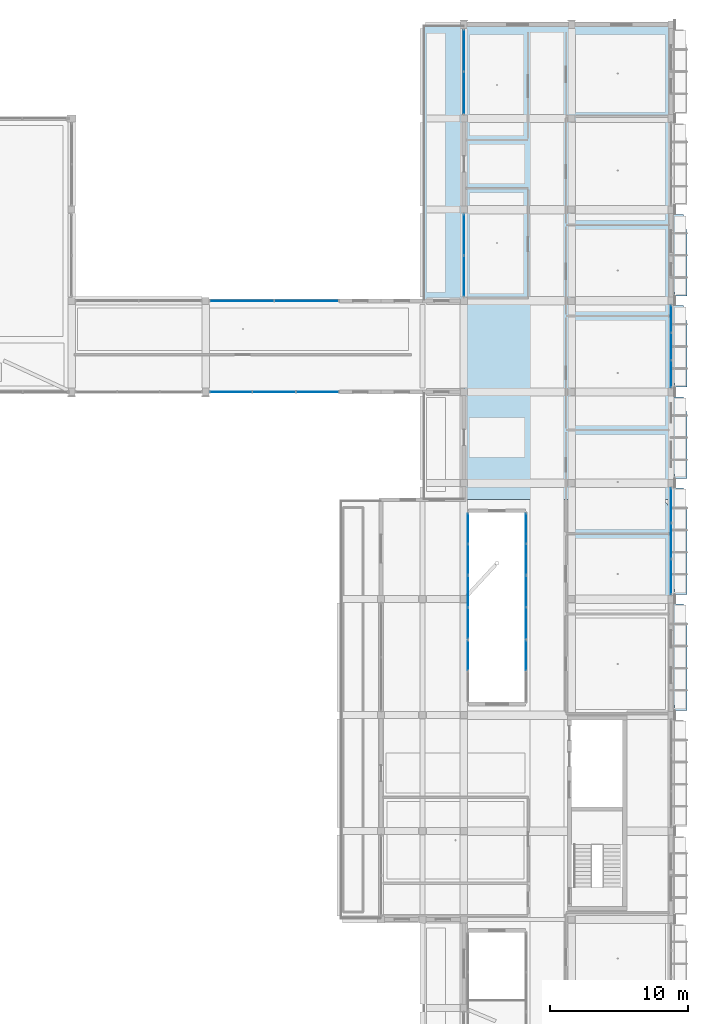
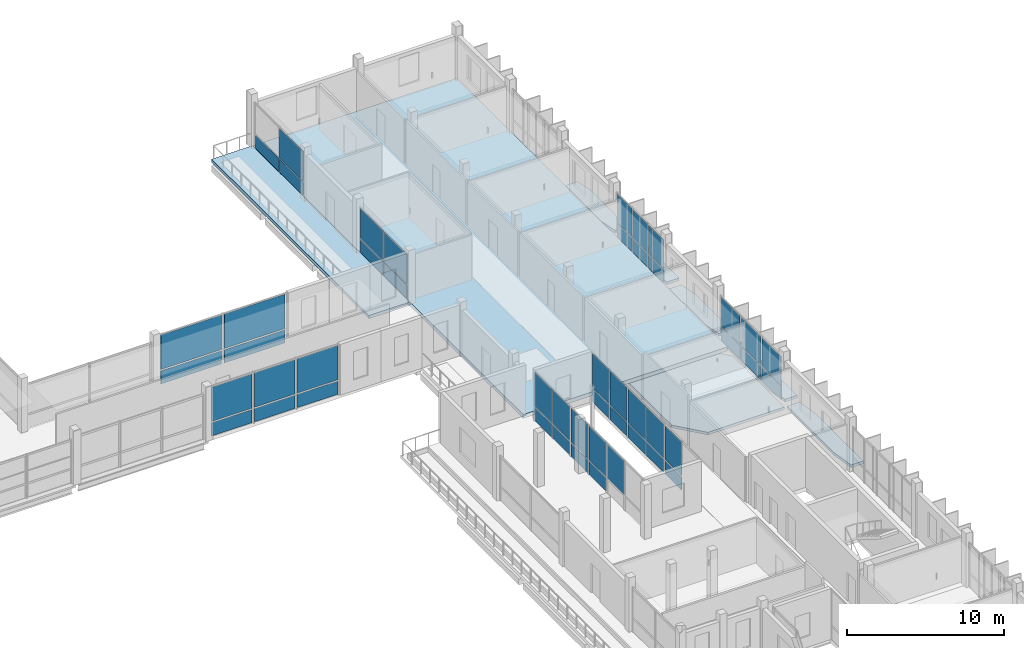
# One storey, part 36 of 85: 48 plates, 8 slabs, 12 elements without a shape of their own.
"""IFC4 building model written with IfcOpenShell, lengths in metres."""

from ifc_helpers import new_model, si_unit, derived_unit, direction, frame, origin, origin_2d, place, context, subcontext, project, spatial, polyline, rectangle, outline, extrude, material, layer, layer_set, type_object, element, aggregate, save


model = new_model("IFC4")

# Units and contexts
model_context = context("Model", 3, precision=1e-05, world=origin(), true_north=direction((0.0, 1.0)))
body_context = subcontext(model_context, "Body", "Model", "MODEL_VIEW")
ifc_project = project(units=[si_unit("LENGTHUNIT", "METRE"), si_unit("AREAUNIT", "SQUARE_METRE"), si_unit("VOLUMEUNIT", "CUBIC_METRE"), si_unit("PLANEANGLEUNIT", "RADIAN"), si_unit("MASSUNIT", "GRAM", prefix="KILO"), derived_unit("THERMALTRANSMITTANCEUNIT", [(si_unit("POWERUNIT", "WATT"), 1), (si_unit("LENGTHUNIT", "METRE"), -2), (si_unit("THERMODYNAMICTEMPERATUREUNIT", "KELVIN"), -1)])], contexts=[model_context])

# Site, building, storey
site_placement = place(None, origin())
site = spatial("IfcSite", under=ifc_project, at=site_placement, CompositionType="ELEMENT")
building_placement = place(site_placement, origin())
building = spatial("IfcBuilding", under=site, at=building_placement, Name="Braskholm Square Health Centre", CompositionType="ELEMENT")
storey_placement = place(building_placement, frame((0.0, 0.0, 9.300048828125)))
storey = spatial("IfcBuildingStorey", under=building, at=storey_placement, Name="L03", CompositionType="ELEMENT", Elevation=9.300048828125)

# Curtain wall, plates
ifc_material_1 = material(Name="Low-E triple insulating glass (VLT 0.64)", Category="glass")
curtain_wall_type_1 = type_object("IfcCurtainWallType", Name="UnitisedCurtainWall6200x3650", PredefinedType="NOTDEFINED", material=ifc_material_1)
curtain_wall_1_placement = place(storey_placement, origin())
curtain_wall_1 = element("IfcCurtainWall", 1, at=curtain_wall_1_placement, inside=storey, type_object=curtain_wall_type_1, Name="East Outer unitised curtain wall CW-L03-0066", PredefinedType="NOTDEFINED")
ifc_material_2 = material(Name="Architectural bronze anodised aluminium", Category="aluminium")
plate_type_1 = type_object("IfcPlateType", Name="CurtainPanelSpandrel1850x1020", PredefinedType="CURTAIN_PANEL", material=ifc_material_2)
plate_1_placement = place(storey_placement, frame((163.800048828125, 88.493408203125, 0.050048828125), z_axis=(0.0, 0.0, 1.0), x_axis=(0.0, 1.0, 0.0)))
plate_1 = element("IfcPlate", 2, at=plate_1_placement, type_object=plate_type_1, Name="CW-L03-0066 spandrel panel 1", PredefinedType="CURTAIN_PANEL", context=body_context, shape_type="SweptSolid", body=[
    extrude(rectangle(XDim=1.88623046875, YDim=0.035888671875, at=origin_2d()), origin(), (0.0, 0.0, 1.0), 1.02001953125),
])
plate_2_placement = place(storey_placement, frame((163.800048828125, 90.5, 0.050048828125), z_axis=(0.0, 0.0, 1.0), x_axis=(0.0, 1.0, 0.0)))
plate_2 = element("IfcPlate", 3, at=plate_2_placement, type_object=plate_type_1, Name="CW-L03-0066 spandrel panel 2", PredefinedType="CURTAIN_PANEL", context=body_context, shape_type="SweptSolid", body=[
    extrude(rectangle(XDim=1.88623046875, YDim=0.035888671875, at=origin_2d()), origin(), (0.0, 0.0, 1.0), 1.02001953125),
])
plate_3_placement = place(storey_placement, frame((163.800048828125, 92.506591796875, 0.050048828125), z_axis=(0.0, 0.0, 1.0), x_axis=(0.0, 1.0, 0.0)))
plate_3 = element("IfcPlate", 4, at=plate_3_placement, type_object=plate_type_1, Name="CW-L03-0066 spandrel panel 3", PredefinedType="CURTAIN_PANEL", context=body_context, shape_type="SweptSolid", body=[
    extrude(rectangle(XDim=1.88623046875, YDim=0.035888671875, at=origin_2d()), origin(), (0.0, 0.0, 1.0), 1.02001953125),
])

# Curtain wall, plate
curtain_wall_type_2 = type_object("IfcCurtainWallType", Name="UnitisedCurtainWall4800x3800", PredefinedType="NOTDEFINED", material=ifc_material_1)
curtain_wall_2_placement = place(storey_placement, origin())
curtain_wall_2 = element("IfcCurtainWall", 5, at=curtain_wall_2_placement, inside=storey, type_object=curtain_wall_type_2, Name="EC2 Court E unitised curtain wall CW-L03-0364", PredefinedType="NOTDEFINED")
plate_type_2 = type_object("IfcPlateType", Name="CurtainPanelSpandrel2150x1020", PredefinedType="CURTAIN_PANEL", material=ifc_material_2)
plate_4_placement = place(storey_placement, frame((153.300048828125, 68.117919921875, 0.050048828125), z_axis=(0.0, 0.0, 1.0), x_axis=(0.0, -1.0, 0.0)))
plate_4 = element("IfcPlate", 6, at=plate_4_placement, type_object=plate_type_2, Name="CW-L03-0364 spandrel panel 1", PredefinedType="CURTAIN_PANEL", context=body_context, shape_type="SweptSolid", body=[
    extrude(rectangle(XDim=2.125244140625, YDim=0.035888671875, at=origin_2d()), origin(), (0.0, 0.0, 1.0), 1.02001953125),
])

# Curtain wall, plates
curtain_wall_3_placement = place(storey_placement, origin())
curtain_wall_3 = element("IfcCurtainWall", 7, at=curtain_wall_3_placement, inside=storey, type_object=curtain_wall_type_2, Name="EC2 Court W unitised curtain wall CW-L03-0365", PredefinedType="NOTDEFINED")
plate_5_placement = place(storey_placement, frame((149.10009765625, 70.449951171875, 0.050048828125), z_axis=(0.0, 0.0, 1.0), x_axis=(0.0, 1.0, 0.0)))
plate_5 = element("IfcPlate", 8, at=plate_5_placement, type_object=plate_type_2, Name="CW-L03-0365 spandrel panel 1", PredefinedType="CURTAIN_PANEL", context=body_context, shape_type="SweptSolid", body=[
    extrude(rectangle(XDim=2.188232421875, YDim=0.035888671875, at=origin_2d()), origin(), (0.0, 0.0, 1.0), 1.02001953125),
])
plate_6_placement = place(storey_placement, frame((149.10009765625, 72.75, 0.050048828125), z_axis=(0.0, 0.0, 1.0), x_axis=(0.0, 1.0, 0.0)))
plate_6 = element("IfcPlate", 9, at=plate_6_placement, type_object=plate_type_2, Name="CW-L03-0365 spandrel panel 2", PredefinedType="CURTAIN_PANEL", context=body_context, shape_type="SweptSolid", body=[
    extrude(rectangle(XDim=2.188232421875, YDim=0.035888671875, at=origin_2d()), origin(), (0.0, 0.0, 1.0), 1.02001953125),
])

curtain_wall_4_placement = place(storey_placement, origin())
curtain_wall_4 = element("IfcCurtainWall", 10, at=curtain_wall_4_placement, inside=storey, type_object=curtain_wall_type_2, Name="EC2 Court E unitised curtain wall CW-L03-0366", PredefinedType="NOTDEFINED")
plate_7_placement = place(storey_placement, frame((153.300048828125, 72.75, 0.050048828125), z_axis=(0.0, 0.0, 1.0), x_axis=(0.0, -1.0, 0.0)))
plate_7 = element("IfcPlate", 11, at=plate_7_placement, type_object=plate_type_2, Name="CW-L03-0366 spandrel panel 1", PredefinedType="CURTAIN_PANEL", context=body_context, shape_type="SweptSolid", body=[
    extrude(rectangle(XDim=2.188232421875, YDim=0.035888671875, at=origin_2d()), origin(), (0.0, 0.0, 1.0), 1.02001953125),
])
plate_8_placement = place(storey_placement, frame((153.300048828125, 70.449951171875, 0.050048828125), z_axis=(0.0, 0.0, 1.0), x_axis=(0.0, -1.0, 0.0)))
plate_8 = element("IfcPlate", 12, at=plate_8_placement, type_object=plate_type_2, Name="CW-L03-0366 spandrel panel 2", PredefinedType="CURTAIN_PANEL", context=body_context, shape_type="SweptSolid", body=[
    extrude(rectangle(XDim=2.188232421875, YDim=0.035888671875, at=origin_2d()), origin(), (0.0, 0.0, 1.0), 1.02001953125),
])

curtain_wall_5_placement = place(storey_placement, origin())
curtain_wall_5 = element("IfcCurtainWall", 13, at=curtain_wall_5_placement, inside=storey, type_object=curtain_wall_type_2, Name="EC2 Court W unitised curtain wall CW-L03-0367", PredefinedType="NOTDEFINED")
plate_9_placement = place(storey_placement, frame((149.10009765625, 75.08203125, 0.050048828125), z_axis=(0.0, 0.0, 1.0), x_axis=(0.0, 1.0, 0.0)))
plate_9 = element("IfcPlate", 14, at=plate_9_placement, type_object=plate_type_2, Name="CW-L03-0367 spandrel panel 1", PredefinedType="CURTAIN_PANEL", context=body_context, shape_type="SweptSolid", body=[
    extrude(rectangle(XDim=2.125244140625, YDim=0.035888671875, at=origin_2d()), origin(), (0.0, 0.0, 1.0), 1.02001953125),
])
plate_10_placement = place(storey_placement, frame((149.10009765625, 77.31591796875, 0.050048828125), z_axis=(0.0, 0.0, 1.0), x_axis=(0.0, 1.0, 0.0)))
plate_10 = element("IfcPlate", 15, at=plate_10_placement, type_object=plate_type_2, Name="CW-L03-0367 spandrel panel 2", PredefinedType="CURTAIN_PANEL", context=body_context, shape_type="SweptSolid", body=[
    extrude(rectangle(XDim=2.125244140625, YDim=0.035888671875, at=origin_2d()), origin(), (0.0, 0.0, 1.0), 1.02001953125),
])

curtain_wall_6_placement = place(storey_placement, origin())
curtain_wall_6 = element("IfcCurtainWall", 16, at=curtain_wall_6_placement, inside=storey, type_object=curtain_wall_type_2, Name="EC2 Court E unitised curtain wall CW-L03-0368", PredefinedType="NOTDEFINED")
plate_11_placement = place(storey_placement, frame((153.300048828125, 77.31591796875, 0.050048828125), z_axis=(0.0, 0.0, 1.0), x_axis=(0.0, -1.0, 0.0)))
plate_11 = element("IfcPlate", 17, at=plate_11_placement, type_object=plate_type_2, Name="CW-L03-0368 spandrel panel 1", PredefinedType="CURTAIN_PANEL", context=body_context, shape_type="SweptSolid", body=[
    extrude(rectangle(XDim=2.125244140625, YDim=0.035888671875, at=origin_2d()), origin(), (0.0, 0.0, 1.0), 1.02001953125),
])
plate_12_placement = place(storey_placement, frame((153.300048828125, 75.08203125, 0.050048828125), z_axis=(0.0, 0.0, 1.0), x_axis=(0.0, -1.0, 0.0)))
plate_12 = element("IfcPlate", 18, at=plate_12_placement, type_object=plate_type_2, Name="CW-L03-0368 spandrel panel 2", PredefinedType="CURTAIN_PANEL", context=body_context, shape_type="SweptSolid", body=[
    extrude(rectangle(XDim=2.125244140625, YDim=0.035888671875, at=origin_2d()), origin(), (0.0, 0.0, 1.0), 1.02001953125),
])

curtain_wall_7_placement = place(storey_placement, origin())
curtain_wall_7 = element("IfcCurtainWall", 19, at=curtain_wall_7_placement, inside=storey, type_object=curtain_wall_type_1, Name="East Outer unitised curtain wall CW-L03-0065", PredefinedType="NOTDEFINED")
plate_type_3 = type_object("IfcPlateType", Name="CurtainPanelSpandrel2750x1020", PredefinedType="CURTAIN_PANEL", material=ifc_material_2)
plate_13_placement = place(storey_placement, frame((163.800048828125, 73.793212890625, 0.050048828125), z_axis=(0.0, 0.0, 1.0), x_axis=(0.0, 1.0, 0.0)))
plate_13 = element("IfcPlate", 20, at=plate_13_placement, type_object=plate_type_3, Name="CW-L03-0065 spandrel panel 1", PredefinedType="CURTAIN_PANEL", context=body_context, shape_type="SweptSolid", body=[
    extrude(rectangle(XDim=2.4501953125, YDim=0.035888671875, at=origin_2d()), origin(), (0.0, 0.0, 1.0), 1.02001953125),
])
plate_14_placement = place(storey_placement, frame((163.800048828125, 76.39990234375, 0.050048828125), z_axis=(0.0, 0.0, 1.0), x_axis=(0.0, 1.0, 0.0)))
plate_14 = element("IfcPlate", 21, at=plate_14_placement, type_object=plate_type_3, Name="CW-L03-0065 spandrel panel 2", PredefinedType="CURTAIN_PANEL", context=body_context, shape_type="SweptSolid", body=[
    extrude(rectangle(XDim=2.4501953125, YDim=0.035888671875, at=origin_2d()), origin(), (0.0, 0.0, 1.0), 1.02001953125),
])
plate_15_placement = place(storey_placement, frame((163.800048828125, 79.006591796875, 0.050048828125), z_axis=(0.0, 0.0, 1.0), x_axis=(0.0, 1.0, 0.0)))
plate_15 = element("IfcPlate", 22, at=plate_15_placement, type_object=plate_type_3, Name="CW-L03-0065 spandrel panel 3", PredefinedType="CURTAIN_PANEL", context=body_context, shape_type="SweptSolid", body=[
    extrude(rectangle(XDim=2.4501953125, YDim=0.035888671875, at=origin_2d()), origin(), (0.0, 0.0, 1.0), 1.02001953125),
])

curtain_wall_8_placement = place(storey_placement, origin())
curtain_wall_8 = element("IfcCurtainWall", 23, at=curtain_wall_8_placement, inside=storey, type_object=curtain_wall_type_1, Name="East Valley unitised curtain wall CW-L03-0127", PredefinedType="NOTDEFINED")
plate_16_placement = place(storey_placement, frame((148.800048828125, 98.601806640625, 0.050048828125), z_axis=(0.0, 0.0, 1.0), x_axis=(0.0, -1.0, 0.0)))
plate_16 = element("IfcPlate", 24, at=plate_16_placement, type_object=plate_type_3, Name="CW-L03-0127 spandrel panel 1", PredefinedType="CURTAIN_PANEL", context=body_context, shape_type="SweptSolid", body=[
    extrude(rectangle(XDim=2.857666015625, YDim=0.035888671875, at=origin_2d()), origin(), (0.0, 0.0, 1.0), 1.02001953125),
])
plate_17_placement = place(storey_placement, frame((148.800048828125, 95.59814453125, 0.050048828125), z_axis=(0.0, 0.0, 1.0), x_axis=(0.0, -1.0, 0.0)))
plate_17 = element("IfcPlate", 25, at=plate_17_placement, type_object=plate_type_3, Name="CW-L03-0127 spandrel panel 2", PredefinedType="CURTAIN_PANEL", context=body_context, shape_type="SweptSolid", body=[
    extrude(rectangle(XDim=2.857666015625, YDim=0.035888671875, at=origin_2d()), origin(), (0.0, 0.0, 1.0), 1.02001953125),
])

curtain_wall_9_placement = place(storey_placement, origin())
curtain_wall_9 = element("IfcCurtainWall", 26, at=curtain_wall_9_placement, inside=storey, type_object=curtain_wall_type_1, Name="East Valley unitised curtain wall CW-L03-0128", PredefinedType="NOTDEFINED")
plate_18_placement = place(storey_placement, frame((148.800048828125, 111.9287109375, 0.050048828125), z_axis=(0.0, 0.0, 1.0), x_axis=(0.0, -1.0, 0.0)))
plate_18 = element("IfcPlate", 27, at=plate_18_placement, type_object=plate_type_3, Name="CW-L03-0128 spandrel panel 1", PredefinedType="CURTAIN_PANEL", context=body_context, shape_type="SweptSolid", body=[
    extrude(rectangle(XDim=2.9375, YDim=0.035888671875, at=origin_2d()), origin(), (0.0, 0.0, 1.0), 1.02001953125),
])
plate_19_placement = place(storey_placement, frame((148.800048828125, 108.84130859375, 0.050048828125), z_axis=(0.0, 0.0, 1.0), x_axis=(0.0, -1.0, 0.0)))
plate_19 = element("IfcPlate", 28, at=plate_19_placement, type_object=plate_type_3, Name="CW-L03-0128 spandrel panel 2", PredefinedType="CURTAIN_PANEL", context=body_context, shape_type="SweptSolid", body=[
    extrude(rectangle(XDim=2.9375, YDim=0.035888671875, at=origin_2d()), origin(), (0.0, 0.0, 1.0), 1.02001953125),
])

curtain_wall_type_3 = type_object("IfcCurtainWallType", Name="UnitisedCurtainWall6200x4100", PredefinedType="NOTDEFINED", material=ifc_material_1)
curtain_wall_10_placement = place(storey_placement, origin())
curtain_wall_10 = element("IfcCurtainWall", 29, at=curtain_wall_10_placement, inside=storey, type_object=curtain_wall_type_3, Name="Hall Clerestory L03 unitised curtain wall CW-L03-0209", PredefinedType="NOTDEFINED")
plate_type_4 = type_object("IfcPlateType", Name="CurtainPanelSpandrel3150x1020", PredefinedType="CURTAIN_PANEL", material=ifc_material_2)
plate_20_placement = place(storey_placement, frame((131.9091796875, 87.199951171875, 0.050048828125), z_axis=(0.0, 0.0, 1.0), x_axis=(1.0, 0.0, 0.0)))
plate_20 = element("IfcPlate", 30, at=plate_20_placement, type_object=plate_type_4, Name="CW-L03-0209 spandrel panel 1", PredefinedType="CURTAIN_PANEL", context=body_context, shape_type="SweptSolid", body=[
    extrude(rectangle(XDim=2.965087890625, YDim=0.035888671875, at=origin_2d()), origin(), (0.0, 0.0, 1.0), 1.02001953125),
])
plate_21_placement = place(storey_placement, frame((135.0634765625, 87.199951171875, 0.050048828125), z_axis=(0.0, 0.0, 1.0), x_axis=(1.0, 0.0, 0.0)))
plate_21 = element("IfcPlate", 31, at=plate_21_placement, type_object=plate_type_4, Name="CW-L03-0209 spandrel panel 2", PredefinedType="CURTAIN_PANEL", context=body_context, shape_type="SweptSolid", body=[
    extrude(rectangle(XDim=2.965087890625, YDim=0.035888671875, at=origin_2d()), origin(), (0.0, 0.0, 1.0), 1.02001953125),
])
plate_22_placement = place(storey_placement, frame((138.2177734375, 87.199951171875, 0.050048828125), z_axis=(0.0, 0.0, 1.0), x_axis=(1.0, 0.0, 0.0)))
plate_22 = element("IfcPlate", 32, at=plate_22_placement, type_object=plate_type_4, Name="CW-L03-0209 spandrel panel 3", PredefinedType="CURTAIN_PANEL", context=body_context, shape_type="SweptSolid", body=[
    extrude(rectangle(XDim=2.965087890625, YDim=0.035888671875, at=origin_2d()), origin(), (0.0, 0.0, 1.0), 1.02001953125),
])

curtain_wall_11_placement = place(storey_placement, origin())
curtain_wall_11 = element("IfcCurtainWall", 33, at=curtain_wall_11_placement, inside=storey, type_object=curtain_wall_type_3, Name="Portal North L03 unitised curtain wall CW-L03-0212", PredefinedType="NOTDEFINED")
plate_type_5 = type_object("IfcPlateType", Name="CurtainPanelSpandrel4350x1020", PredefinedType="CURTAIN_PANEL", material=ifc_material_2)
plate_23_placement = place(storey_placement, frame((137.406005859375, 93.800048828125, 0.050048828125), z_axis=(0.0, 0.0, 1.0), x_axis=(-1.0, 0.0, 0.0)))
plate_23 = element("IfcPlate", 34, at=plate_23_placement, type_object=plate_type_5, Name="CW-L03-0212 spandrel panel 1", PredefinedType="CURTAIN_PANEL", context=body_context, shape_type="SweptSolid", body=[
    extrude(rectangle(XDim=4.438232421875, YDim=0.035888671875, at=origin_2d()), origin(), (0.0, 0.0, 1.0), 1.02001953125),
])
plate_24_placement = place(storey_placement, frame((132.7412109375, 93.800048828125, 0.050048828125), z_axis=(0.0, 0.0, 1.0), x_axis=(-1.0, 0.0, 0.0)))
plate_24 = element("IfcPlate", 35, at=plate_24_placement, type_object=plate_type_5, Name="CW-L03-0212 spandrel panel 2", PredefinedType="CURTAIN_PANEL", context=body_context, shape_type="SweptSolid", body=[
    extrude(rectangle(XDim=4.438232421875, YDim=0.035888671875, at=origin_2d()), origin(), (0.0, 0.0, 1.0), 1.02001953125),
])

# Plate
plate_type_6 = type_object("IfcPlateType", Name="CurtainPanelVision1850x2120", PredefinedType="CURTAIN_PANEL", material=ifc_material_1)
plate_25_placement = place(storey_placement, frame((163.800048828125, 88.493408203125, 1.169921875), z_axis=(0.0, 0.0, 1.0), x_axis=(0.0, 1.0, 0.0)))
plate_25 = element("IfcPlate", 36, at=plate_25_placement, type_object=plate_type_6, Name="CW-L03-0066 vision glass panel 1", PredefinedType="CURTAIN_PANEL", context=body_context, shape_type="SweptSolid", body=[
    extrude(rectangle(XDim=1.88623046875, YDim=0.035888671875, at=origin_2d()), origin(), (0.0, 0.0, 1.0), 2.199951171875),
])

plate_26_placement = place(storey_placement, frame((163.800048828125, 90.5, 1.169921875), z_axis=(0.0, 0.0, 1.0), x_axis=(0.0, 1.0, 0.0)))
plate_26 = element("IfcPlate", 37, at=plate_26_placement, type_object=plate_type_6, Name="CW-L03-0066 vision glass panel 2", PredefinedType="CURTAIN_PANEL", context=body_context, shape_type="SweptSolid", body=[
    extrude(rectangle(XDim=1.88623046875, YDim=0.035888671875, at=origin_2d()), origin(), (0.0, 0.0, 1.0), 2.199951171875),
])

plate_27_placement = place(storey_placement, frame((163.800048828125, 92.506591796875, 1.169921875), z_axis=(0.0, 0.0, 1.0), x_axis=(0.0, 1.0, 0.0)))
plate_27 = element("IfcPlate", 38, at=plate_27_placement, type_object=plate_type_6, Name="CW-L03-0066 vision glass panel 3", PredefinedType="CURTAIN_PANEL", context=body_context, shape_type="SweptSolid", body=[
    extrude(rectangle(XDim=1.88623046875, YDim=0.035888671875, at=origin_2d()), origin(), (0.0, 0.0, 1.0), 2.199951171875),
])

aggregate(curtain_wall_1, [plate_1, plate_25, plate_2, plate_26, plate_3, plate_27])

# Curtain wall, plate
curtain_wall_12_placement = place(storey_placement, origin())
curtain_wall_12 = element("IfcCurtainWall", 39, at=curtain_wall_12_placement, inside=storey, type_object=curtain_wall_type_2, Name="EC2 Court W unitised curtain wall CW-L03-0363", PredefinedType="NOTDEFINED")
plate_type_7 = type_object("IfcPlateType", Name="CurtainPanelVision2150x2520", PredefinedType="CURTAIN_PANEL", material=ifc_material_1)
plate_28_placement = place(storey_placement, frame((149.10009765625, 68.117919921875, 1.169921875), z_axis=(0.0, 0.0, 1.0), x_axis=(0.0, 1.0, 0.0)))
plate_28 = element("IfcPlate", 40, at=plate_28_placement, type_object=plate_type_7, Name="CW-L03-0363 vision glass panel 2", PredefinedType="CURTAIN_PANEL", context=body_context, shape_type="SweptSolid", body=[
    extrude(rectangle(XDim=2.125244140625, YDim=0.035888671875, at=origin_2d()), origin(), (0.0, 0.0, 1.0), 2.6201171875),
])
aggregate(curtain_wall_12, [plate_28])

# Plate
plate_29_placement = place(storey_placement, frame((153.300048828125, 68.117919921875, 1.169921875), z_axis=(0.0, 0.0, 1.0), x_axis=(0.0, -1.0, 0.0)))
plate_29 = element("IfcPlate", 41, at=plate_29_placement, type_object=plate_type_7, Name="CW-L03-0364 vision glass panel 1", PredefinedType="CURTAIN_PANEL", context=body_context, shape_type="SweptSolid", body=[
    extrude(rectangle(XDim=2.125244140625, YDim=0.035888671875, at=origin_2d()), origin(), (0.0, 0.0, 1.0), 2.6201171875),
])

aggregate(curtain_wall_2, [plate_4, plate_29])

plate_30_placement = place(storey_placement, frame((149.10009765625, 70.449951171875, 1.169921875), z_axis=(0.0, 0.0, 1.0), x_axis=(0.0, 1.0, 0.0)))
plate_30 = element("IfcPlate", 42, at=plate_30_placement, type_object=plate_type_7, Name="CW-L03-0365 vision glass panel 1", PredefinedType="CURTAIN_PANEL", context=body_context, shape_type="SweptSolid", body=[
    extrude(rectangle(XDim=2.188232421875, YDim=0.035888671875, at=origin_2d()), origin(), (0.0, 0.0, 1.0), 2.6201171875),
])

plate_31_placement = place(storey_placement, frame((149.10009765625, 72.75, 1.169921875), z_axis=(0.0, 0.0, 1.0), x_axis=(0.0, 1.0, 0.0)))
plate_31 = element("IfcPlate", 43, at=plate_31_placement, type_object=plate_type_7, Name="CW-L03-0365 vision glass panel 2", PredefinedType="CURTAIN_PANEL", context=body_context, shape_type="SweptSolid", body=[
    extrude(rectangle(XDim=2.188232421875, YDim=0.035888671875, at=origin_2d()), origin(), (0.0, 0.0, 1.0), 2.6201171875),
])

aggregate(curtain_wall_3, [plate_5, plate_30, plate_6, plate_31])

plate_32_placement = place(storey_placement, frame((153.300048828125, 72.75, 1.169921875), z_axis=(0.0, 0.0, 1.0), x_axis=(0.0, -1.0, 0.0)))
plate_32 = element("IfcPlate", 44, at=plate_32_placement, type_object=plate_type_7, Name="CW-L03-0366 vision glass panel 1", PredefinedType="CURTAIN_PANEL", context=body_context, shape_type="SweptSolid", body=[
    extrude(rectangle(XDim=2.188232421875, YDim=0.035888671875, at=origin_2d()), origin(), (0.0, 0.0, 1.0), 2.6201171875),
])

plate_33_placement = place(storey_placement, frame((153.300048828125, 70.449951171875, 1.169921875), z_axis=(0.0, 0.0, 1.0), x_axis=(0.0, -1.0, 0.0)))
plate_33 = element("IfcPlate", 45, at=plate_33_placement, type_object=plate_type_7, Name="CW-L03-0366 vision glass panel 2", PredefinedType="CURTAIN_PANEL", context=body_context, shape_type="SweptSolid", body=[
    extrude(rectangle(XDim=2.188232421875, YDim=0.035888671875, at=origin_2d()), origin(), (0.0, 0.0, 1.0), 2.6201171875),
])

aggregate(curtain_wall_4, [plate_7, plate_32, plate_8, plate_33])

plate_34_placement = place(storey_placement, frame((149.10009765625, 75.08203125, 1.169921875), z_axis=(0.0, 0.0, 1.0), x_axis=(0.0, 1.0, 0.0)))
plate_34 = element("IfcPlate", 46, at=plate_34_placement, type_object=plate_type_7, Name="CW-L03-0367 vision glass panel 1", PredefinedType="CURTAIN_PANEL", context=body_context, shape_type="SweptSolid", body=[
    extrude(rectangle(XDim=2.125244140625, YDim=0.035888671875, at=origin_2d()), origin(), (0.0, 0.0, 1.0), 2.6201171875),
])

plate_35_placement = place(storey_placement, frame((149.10009765625, 77.31591796875, 1.169921875), z_axis=(0.0, 0.0, 1.0), x_axis=(0.0, 1.0, 0.0)))
plate_35 = element("IfcPlate", 47, at=plate_35_placement, type_object=plate_type_7, Name="CW-L03-0367 vision glass panel 2", PredefinedType="CURTAIN_PANEL", context=body_context, shape_type="SweptSolid", body=[
    extrude(rectangle(XDim=2.125244140625, YDim=0.035888671875, at=origin_2d()), origin(), (0.0, 0.0, 1.0), 2.6201171875),
])

aggregate(curtain_wall_5, [plate_9, plate_34, plate_10, plate_35])

plate_36_placement = place(storey_placement, frame((153.300048828125, 77.31591796875, 1.169921875), z_axis=(0.0, 0.0, 1.0), x_axis=(0.0, -1.0, 0.0)))
plate_36 = element("IfcPlate", 48, at=plate_36_placement, type_object=plate_type_7, Name="CW-L03-0368 vision glass panel 1", PredefinedType="CURTAIN_PANEL", context=body_context, shape_type="SweptSolid", body=[
    extrude(rectangle(XDim=2.125244140625, YDim=0.035888671875, at=origin_2d()), origin(), (0.0, 0.0, 1.0), 2.6201171875),
])

plate_37_placement = place(storey_placement, frame((153.300048828125, 75.08203125, 1.169921875), z_axis=(0.0, 0.0, 1.0), x_axis=(0.0, -1.0, 0.0)))
plate_37 = element("IfcPlate", 49, at=plate_37_placement, type_object=plate_type_7, Name="CW-L03-0368 vision glass panel 2", PredefinedType="CURTAIN_PANEL", context=body_context, shape_type="SweptSolid", body=[
    extrude(rectangle(XDim=2.125244140625, YDim=0.035888671875, at=origin_2d()), origin(), (0.0, 0.0, 1.0), 2.6201171875),
])

aggregate(curtain_wall_6, [plate_11, plate_36, plate_12, plate_37])

plate_type_8 = type_object("IfcPlateType", Name="CurtainPanelVision2750x2120", PredefinedType="CURTAIN_PANEL", material=ifc_material_1)
plate_38_placement = place(storey_placement, frame((163.800048828125, 73.793212890625, 1.169921875), z_axis=(0.0, 0.0, 1.0), x_axis=(0.0, 1.0, 0.0)))
plate_38 = element("IfcPlate", 50, at=plate_38_placement, type_object=plate_type_8, Name="CW-L03-0065 vision glass panel 1", PredefinedType="CURTAIN_PANEL", context=body_context, shape_type="SweptSolid", body=[
    extrude(rectangle(XDim=2.4501953125, YDim=0.035888671875, at=origin_2d()), origin(), (0.0, 0.0, 1.0), 2.199951171875),
])

plate_39_placement = place(storey_placement, frame((163.800048828125, 76.39990234375, 1.169921875), z_axis=(0.0, 0.0, 1.0), x_axis=(0.0, 1.0, 0.0)))
plate_39 = element("IfcPlate", 51, at=plate_39_placement, type_object=plate_type_8, Name="CW-L03-0065 vision glass panel 2", PredefinedType="CURTAIN_PANEL", context=body_context, shape_type="SweptSolid", body=[
    extrude(rectangle(XDim=2.4501953125, YDim=0.035888671875, at=origin_2d()), origin(), (0.0, 0.0, 1.0), 2.199951171875),
])

plate_40_placement = place(storey_placement, frame((163.800048828125, 79.006591796875, 1.169921875), z_axis=(0.0, 0.0, 1.0), x_axis=(0.0, 1.0, 0.0)))
plate_40 = element("IfcPlate", 52, at=plate_40_placement, type_object=plate_type_8, Name="CW-L03-0065 vision glass panel 3", PredefinedType="CURTAIN_PANEL", context=body_context, shape_type="SweptSolid", body=[
    extrude(rectangle(XDim=2.4501953125, YDim=0.035888671875, at=origin_2d()), origin(), (0.0, 0.0, 1.0), 2.199951171875),
])

aggregate(curtain_wall_7, [plate_13, plate_38, plate_14, plate_39, plate_15, plate_40])

plate_41_placement = place(storey_placement, frame((148.800048828125, 98.601806640625, 1.169921875), z_axis=(0.0, 0.0, 1.0), x_axis=(0.0, -1.0, 0.0)))
plate_41 = element("IfcPlate", 53, at=plate_41_placement, type_object=plate_type_8, Name="CW-L03-0127 vision glass panel 1", PredefinedType="CURTAIN_PANEL", context=body_context, shape_type="SweptSolid", body=[
    extrude(rectangle(XDim=2.857666015625, YDim=0.035888671875, at=origin_2d()), origin(), (0.0, 0.0, 1.0), 2.2900390625),
])

plate_42_placement = place(storey_placement, frame((148.800048828125, 95.59814453125, 1.169921875), z_axis=(0.0, 0.0, 1.0), x_axis=(0.0, -1.0, 0.0)))
plate_42 = element("IfcPlate", 54, at=plate_42_placement, type_object=plate_type_8, Name="CW-L03-0127 vision glass panel 2", PredefinedType="CURTAIN_PANEL", context=body_context, shape_type="SweptSolid", body=[
    extrude(rectangle(XDim=2.857666015625, YDim=0.035888671875, at=origin_2d()), origin(), (0.0, 0.0, 1.0), 2.2900390625),
])

aggregate(curtain_wall_8, [plate_16, plate_41, plate_17, plate_42])

plate_43_placement = place(storey_placement, frame((148.800048828125, 108.84130859375, 1.169921875), z_axis=(0.0, 0.0, 1.0), x_axis=(0.0, -1.0, 0.0)))
plate_43 = element("IfcPlate", 55, at=plate_43_placement, type_object=plate_type_8, Name="CW-L03-0128 vision glass panel 2", PredefinedType="CURTAIN_PANEL", context=body_context, shape_type="SweptSolid", body=[
    extrude(rectangle(XDim=2.9375, YDim=0.035888671875, at=origin_2d()), origin(), (0.0, 0.0, 1.0), 2.2900390625),
])

aggregate(curtain_wall_9, [plate_18, plate_19, plate_43])

plate_type_9 = type_object("IfcPlateType", Name="CurtainPanelVision3150x2520", PredefinedType="CURTAIN_PANEL", material=ifc_material_1)
plate_44_placement = place(storey_placement, frame((131.9091796875, 87.199951171875, 1.169921875), z_axis=(0.0, 0.0, 1.0), x_axis=(1.0, 0.0, 0.0)))
plate_44 = element("IfcPlate", 56, at=plate_44_placement, type_object=plate_type_9, Name="CW-L03-0209 vision glass panel 1", PredefinedType="CURTAIN_PANEL", context=body_context, shape_type="SweptSolid", body=[
    extrude(rectangle(XDim=2.965087890625, YDim=0.035888671875, at=origin_2d()), origin(), (0.0, 0.0, 1.0), 2.669921875),
])

plate_45_placement = place(storey_placement, frame((135.0634765625, 87.199951171875, 1.169921875), z_axis=(0.0, 0.0, 1.0), x_axis=(1.0, 0.0, 0.0)))
plate_45 = element("IfcPlate", 57, at=plate_45_placement, type_object=plate_type_9, Name="CW-L03-0209 vision glass panel 2", PredefinedType="CURTAIN_PANEL", context=body_context, shape_type="SweptSolid", body=[
    extrude(rectangle(XDim=2.965087890625, YDim=0.035888671875, at=origin_2d()), origin(), (0.0, 0.0, 1.0), 2.669921875),
])

plate_46_placement = place(storey_placement, frame((138.2177734375, 87.199951171875, 1.169921875), z_axis=(0.0, 0.0, 1.0), x_axis=(1.0, 0.0, 0.0)))
plate_46 = element("IfcPlate", 58, at=plate_46_placement, type_object=plate_type_9, Name="CW-L03-0209 vision glass panel 3", PredefinedType="CURTAIN_PANEL", context=body_context, shape_type="SweptSolid", body=[
    extrude(rectangle(XDim=2.965087890625, YDim=0.035888671875, at=origin_2d()), origin(), (0.0, 0.0, 1.0), 2.669921875),
])

aggregate(curtain_wall_10, [plate_20, plate_44, plate_21, plate_45, plate_22, plate_46])

plate_type_10 = type_object("IfcPlateType", Name="CurtainPanelVision4350x2520", PredefinedType="CURTAIN_PANEL", material=ifc_material_1)
plate_47_placement = place(storey_placement, frame((137.406005859375, 93.800048828125, 1.169921875), z_axis=(0.0, 0.0, 1.0), x_axis=(-1.0, 0.0, 0.0)))
plate_47 = element("IfcPlate", 59, at=plate_47_placement, type_object=plate_type_10, Name="CW-L03-0212 vision glass panel 1", PredefinedType="CURTAIN_PANEL", context=body_context, shape_type="SweptSolid", body=[
    extrude(rectangle(XDim=4.438232421875, YDim=0.035888671875, at=origin_2d()), origin(), (0.0, 0.0, 1.0), 2.669921875),
])

plate_48_placement = place(storey_placement, frame((132.7412109375, 93.800048828125, 1.169921875), z_axis=(0.0, 0.0, 1.0), x_axis=(-1.0, 0.0, 0.0)))
plate_48 = element("IfcPlate", 60, at=plate_48_placement, type_object=plate_type_10, Name="CW-L03-0212 vision glass panel 2", PredefinedType="CURTAIN_PANEL", context=body_context, shape_type="SweptSolid", body=[
    extrude(rectangle(XDim=4.438232421875, YDim=0.035888671875, at=origin_2d()), origin(), (0.0, 0.0, 1.0), 2.669921875),
])

aggregate(curtain_wall_11, [plate_23, plate_47, plate_24, plate_48])

# Slabs
ifc_material_3 = material(Name="Precast concrete C40/50 architectural white", Category="concrete")
ifc_layer_1 = layer(ifc_material_3, 0.2099609375)
ifc_layer_set_1 = layer_set([ifc_layer_1], Name="Precast concrete C40/50 architectural white")
slab_type_1 = type_object("IfcSlabType", Name="PitchedAndCrownRoofSlab150", PredefinedType="ROOF", material=ifc_layer_set_1)
slab_1_placement = place(storey_placement, frame((0.0, 0.0, -0.2099609375)))
element("IfcSlab", 61, at=slab_1_placement, inside=storey, type_object=slab_type_1, Name="Level L03 East precast planter ledge 090", PredefinedType="ROOF", context=body_context, shape_type="SweptSolid", body=[
    extrude(outline(polyline([(164.052978515625, 64.14990234375), (164.949951171875, 64.14990234375), (164.949951171875, 70.156005859375), (164.697021484375, 71.85009765625), (163.800048828125, 71.85009765625), (163.800048828125, 65.843994140625), (164.052978515625, 64.14990234375)])), origin(), (0.0, 0.0, 1.0), 0.2099609375),
])
slab_2_placement = place(storey_placement, frame((0.0, 0.0, -0.2099609375)))
element("IfcSlab", 62, at=slab_2_placement, inside=storey, type_object=slab_type_1, Name="Level L03 East precast planter ledge 091", PredefinedType="ROOF", context=body_context, shape_type="SweptSolid", body=[
    extrude(outline(polyline([(164.052978515625, 72.550048828125), (164.949951171875, 72.550048828125), (164.949951171875, 78.555908203125), (164.697021484375, 80.25), (163.800048828125, 80.25), (163.800048828125, 74.243896484375), (164.052978515625, 72.550048828125)])), origin(), (0.0, 0.0, 1.0), 0.2099609375),
])
slab_3_placement = place(storey_placement, frame((0.0, 0.0, -0.2099609375)))
element("IfcSlab", 63, at=slab_3_placement, inside=storey, type_object=slab_type_1, Name="Level L03 East precast planter ledge 092", PredefinedType="ROOF", context=body_context, shape_type="SweptSolid", body=[
    extrude(outline(polyline([(164.052978515625, 80.949951171875), (164.949951171875, 80.949951171875), (164.949951171875, 85.552001953125), (164.697021484375, 86.85009765625), (163.800048828125, 86.85009765625), (163.800048828125, 82.248046875), (164.052978515625, 80.949951171875)])), origin(), (0.0, 0.0, 1.0), 0.2099609375),
])
slab_4_placement = place(storey_placement, frame((0.0, 0.0, -0.2099609375)))
element("IfcSlab", 64, at=slab_4_placement, inside=storey, type_object=slab_type_1, Name="Level L03 East precast planter ledge 093", PredefinedType="ROOF", context=body_context, shape_type="SweptSolid", body=[
    extrude(outline(polyline([(164.052978515625, 87.550048828125), (164.949951171875, 87.550048828125), (164.949951171875, 92.152099609375), (164.697021484375, 93.449951171875), (163.800048828125, 93.449951171875), (163.800048828125, 88.847900390625), (164.052978515625, 87.550048828125)])), origin(), (0.0, 0.0, 1.0), 0.2099609375),
])
slab_5_placement = place(storey_placement, frame((0.0, 0.0, -0.2099609375)))
element("IfcSlab", 65, at=slab_5_placement, inside=storey, type_object=slab_type_1, Name="Level L03 East precast planter ledge 094", PredefinedType="ROOF", context=body_context, shape_type="SweptSolid", body=[
    extrude(outline(polyline([(164.052978515625, 94.14990234375), (164.949951171875, 94.14990234375), (164.949951171875, 98.751953125), (164.697021484375, 100.050048828125), (163.800048828125, 100.050048828125), (163.800048828125, 95.447998046875), (164.052978515625, 94.14990234375)])), origin(), (0.0, 0.0, 1.0), 0.2099609375),
])
ifc_material_4 = material(Name="Concrete C35/45 (f'c = 35 MPa)", Category="concrete")
ifc_layer_2 = layer(ifc_material_4, 0.25)
ifc_layer_set_2 = layer_set([ifc_layer_2], Name="Concrete C35/45 (f'c = 35 MPa)")
slab_type_2 = type_object("IfcSlabType", Name="PlantedTerraceRoofSlab250", PredefinedType="ROOF", material=ifc_layer_set_2)
slab_6_placement = place(storey_placement, frame((0.0, 0.0, -0.25)))
element("IfcSlab", 66, at=slab_6_placement, inside=storey, type_object=slab_type_2, Name="Level L03 Northeast Step 1 garden terrace slab", PredefinedType="ROOF", context=body_context, shape_type="SweptSolid", body=[
    extrude(outline(polyline([(145.800048828125, 93.800048828125), (148.800048828125, 93.800048828125), (148.800048828125, 113.800048828125), (145.800048828125, 113.800048828125), (145.800048828125, 93.800048828125)])), origin(), (0.0, 0.0, 1.0), 0.25),
])
ifc_layer_3 = layer(ifc_material_4, 0.199951171875)
ifc_layer_set_3 = layer_set([ifc_layer_3], Name="Concrete C35/45 (f'c = 35 MPa)")
slab_type_3 = type_object("IfcSlabType", Name="PunchingDropPanel200", PredefinedType="USERDEFINED", material=ifc_layer_set_3)
slab_7_placement = place(storey_placement, frame((0.0, 0.0, -0.5)))
element("IfcSlab", 67, at=slab_7_placement, inside=storey, type_object=slab_type_3, Name="Thickened vibration drop panel 012 L03", ObjectType="DROPPANEL", PredefinedType="USERDEFINED", context=body_context, shape_type="SweptSolid", body=[
    extrude(outline(polyline([(158.18408203125, 72.199951171875), (163.800048828125, 72.199951171875), (163.800048828125, 78.751953125), (162.216064453125, 80.60009765625), (156.60009765625, 80.60009765625), (156.60009765625, 74.048095703125), (158.18408203125, 72.199951171875)])), origin(), (0.0, 0.0, 1.0), 0.199951171875),
])
ifc_layer_4 = layer(ifc_material_4, 0.300048828125)
ifc_layer_set_4 = layer_set([ifc_layer_4], Name="Concrete C35/45 (f'c = 35 MPa)")
slab_type_4 = type_object("IfcSlabType", Name="TwoWayClinicalFlatSlab300", PredefinedType="FLOOR", material=ifc_layer_set_4)
slab_8_placement = place(storey_placement, frame((0.0, 0.0, -0.300048828125)))
element("IfcSlab", 68, at=slab_8_placement, inside=storey, type_object=slab_type_4, Name="Level L03 V4E Northeast specialty clinic slab", PredefinedType="FLOOR", context=body_context, shape_type="SweptSolid", body=[
    extrude(outline(polyline([(148.800048828125, 79.39990234375), (163.800048828125, 79.39990234375), (163.800048828125, 113.800048828125), (148.800048828125, 113.800048828125), (148.800048828125, 79.39990234375)])), origin(), (0.0, 0.0, 1.0), 0.300048828125),
])

save(model, "model.ifc")
